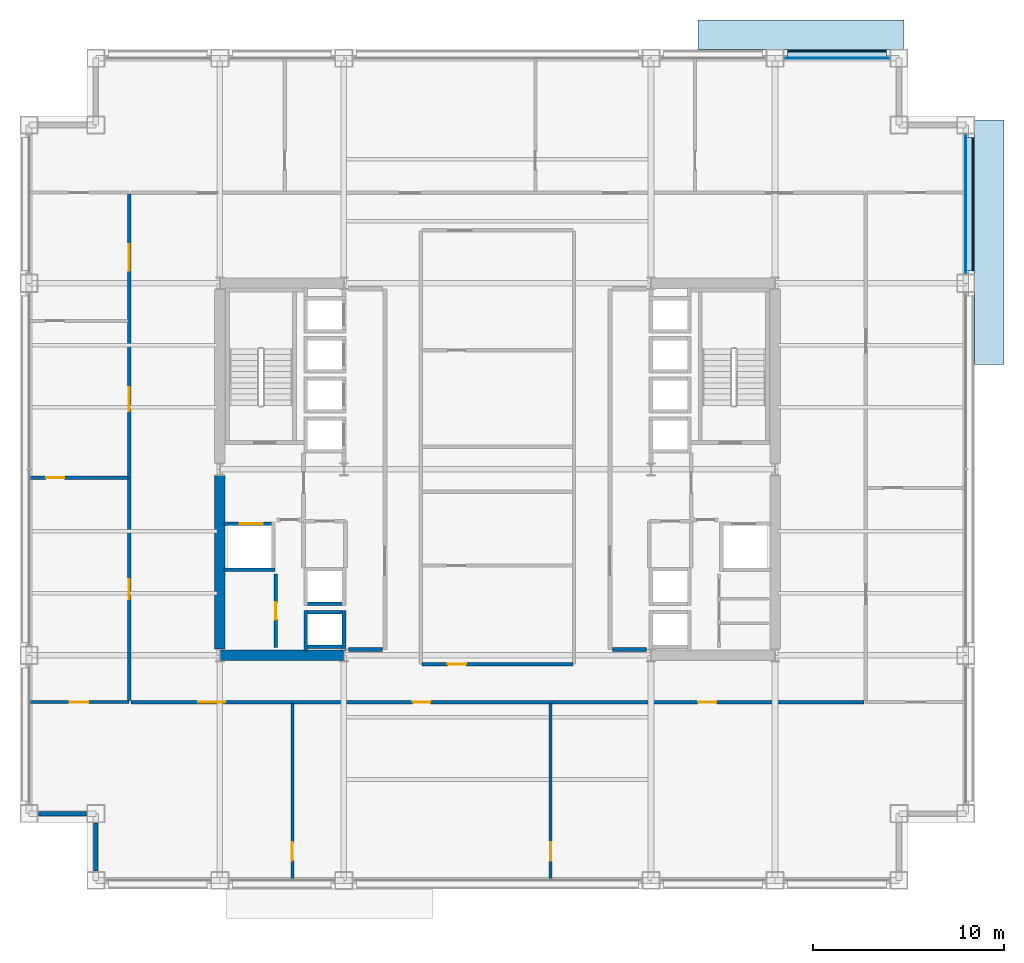
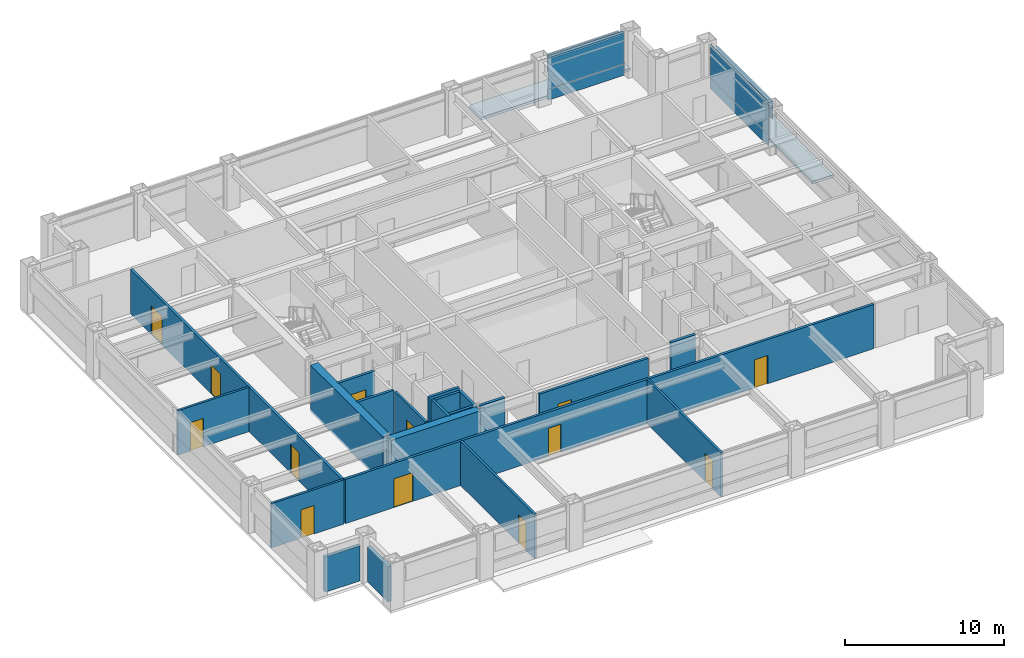
# One storey, part 24 of 28: 21 walls, 13 doors, 8 plates, 2 slabs, 13 openings, 2 elements without a shape of their own.
"""IFC4 building model written with IfcOpenShell, lengths in metres."""

from ifc_helpers import new_model, si_unit, direction, frame, frame_2d, origin, origin_2d, place, context, subcontext, project, spatial, polyline, rectangle, outline, extrude, material, layer, layer_set, type_object, element, fill, aggregate, save


model = new_model("IFC4")

# Units and contexts
model_context = context("Model", 3, precision=1e-05, world=origin(), true_north=direction((0.0, 1.0)))
body_context = subcontext(model_context, "Body", "Model", "MODEL_VIEW")
ifc_project = project(units=[si_unit("LENGTHUNIT", "METRE"), si_unit("AREAUNIT", "SQUARE_METRE"), si_unit("VOLUMEUNIT", "CUBIC_METRE"), si_unit("PLANEANGLEUNIT", "RADIAN"), si_unit("MASSUNIT", "GRAM", prefix="KILO")], contexts=[model_context])

# Site, building, storey
site_placement = place(None, origin())
site = spatial("IfcSite", under=ifc_project, at=site_placement, CompositionType="ELEMENT")
building_placement = place(site_placement, origin())
building = spatial("IfcBuilding", under=site, at=building_placement, Name="Brelmoor Portico Tower", CompositionType="ELEMENT")
storey_placement = place(building_placement, frame((0.0, 0.0, 49.199951171875)))
storey = spatial("IfcBuildingStorey", under=building, at=storey_placement, Name="L12", CompositionType="ELEMENT", Elevation=49.199951171875)

# Curtain wall, plate
ifc_material_1 = material(Name="Anodised Aluminium Alloy 6063-T6", Category="aluminium")
ifc_layer_1 = layer(ifc_material_1, 0.179931640625)
ifc_layer_set_1 = layer_set([ifc_layer_1], Name="Anodised Aluminium Alloy 6063-T6")
curtain_wall_type = type_object("IfcCurtainWallType", Name="CW-TOWER-Z1", PredefinedType="NOTDEFINED", material=ifc_layer_set_1)
curtain_wall_1_placement = place(storey_placement, origin())
curtain_wall_1 = element("IfcCurtainWall", 1, at=curtain_wall_1_placement, inside=storey, type_object=curtain_wall_type, Name="L12 Curtain Wall CW-L12-02-5", PredefinedType="NOTDEFINED")
ifc_material_2 = material(Name="Double-Silver Low-E Insulated Glazing", Category="glass")
ifc_layer_2 = layer(ifc_material_2, 0.035888671875)
ifc_layer_set_2 = layer_set([ifc_layer_2], Name="Double-Silver Low-E Insulated Glazing")
plate_type_1 = type_object("IfcPlateType", Name="PT-CW-GLASS", PredefinedType="CURTAIN_PANEL", material=ifc_layer_set_2)
plate_1_placement = place(storey_placement, frame((17.800048828125, 21.550048828125, 0.85009765625), z_axis=(0.0, 0.0, 1.0), x_axis=(1.0, 0.0, 0.0)))
plate_1 = element("IfcPlate", 2, at=plate_1_placement, type_object=plate_type_1, Name="CW-L12-02-5 Vision Glass Panel 00", PredefinedType="CURTAIN_PANEL", context=body_context, shape_type="SweptSolid", body=[
    extrude(rectangle(XDim=5.5, YDim=0.035888671875, at=origin_2d()), origin(), (0.0, 0.0, 1.0), 2.550048828125),
])

curtain_wall_2_placement = place(storey_placement, origin())
curtain_wall_2 = element("IfcCurtainWall", 3, at=curtain_wall_2_placement, inside=storey, type_object=curtain_wall_type, Name="L12 Curtain Wall CW-L12-04-3", PredefinedType="NOTDEFINED")
plate_2_placement = place(storey_placement, frame((24.550048828125, 13.89990234375, 0.85009765625), z_axis=(0.0, 0.0, 1.0), x_axis=(0.0, 1.0, 0.0)))
plate_2 = element("IfcPlate", 4, at=plate_2_placement, type_object=plate_type_1, Name="CW-L12-04-3 Vision Glass Panel 00", PredefinedType="CURTAIN_PANEL", context=body_context, shape_type="SweptSolid", body=[
    extrude(rectangle(XDim=7.300048828125, YDim=0.035888671875, at=origin_2d()), origin(), (0.0, 0.0, 1.0), 2.550048828125),
])

# Plate
ifc_material_3 = material(Name="Pale Champagne Anodised Aluminium Panel", Category="aluminium")
ifc_layer_3 = layer(ifc_material_3, 0.050048828125)
ifc_layer_set_3 = layer_set([ifc_layer_3], Name="Pale Champagne Anodised Aluminium Panel")
plate_type_2 = type_object("IfcPlateType", Name="PT-CW-SPANDREL", PredefinedType="SHEET", material=ifc_layer_set_3)
plate_3_placement = place(storey_placement, frame((17.800048828125, 21.550048828125, 0.0), z_axis=(0.0, 0.0, 1.0), x_axis=(1.0, 0.0, 0.0)))
plate_3 = element("IfcPlate", 5, at=plate_3_placement, type_object=plate_type_2, Name="CW-L12-02-5 Spandrel Panel 00", PredefinedType="SHEET", context=body_context, shape_type="SweptSolid", body=[
    extrude(rectangle(XDim=5.5, YDim=0.050048828125, at=origin_2d()), origin(), (0.0, 0.0, 1.0), 0.85009765625),
])

aggregate(curtain_wall_1, [plate_3, plate_1])

plate_4_placement = place(storey_placement, frame((24.550048828125, 13.89990234375, 0.0), z_axis=(0.0, 0.0, 1.0), x_axis=(0.0, 1.0, 0.0)))
plate_4 = element("IfcPlate", 6, at=plate_4_placement, type_object=plate_type_2, Name="CW-L12-04-3 Spandrel Panel 00", PredefinedType="SHEET", context=body_context, shape_type="SweptSolid", body=[
    extrude(rectangle(XDim=7.300048828125, YDim=0.050048828125, at=origin_2d()), origin(), (0.0, 0.0, 1.0), 0.85009765625),
])

aggregate(curtain_wall_2, [plate_4, plate_2])

# Plates
ifc_material_4 = material(Name="Powder-Coated Aluminium Shuttered Jalousie Louvre", Category="aluminium")
ifc_layer_4 = layer(ifc_material_4, 0.06005859375)
ifc_layer_set_4 = layer_set([ifc_layer_4], Name="Powder-Coated Aluminium Shuttered Jalousie Louvre")
plate_type_3 = type_object("IfcPlateType", Name="PT-JALOUSIE-SHUTTER", PredefinedType="SHEET", material=ifc_layer_set_4)
plate_5_placement = place(storey_placement, frame((17.800048828125, 21.929931640625, 1.8740234375), z_axis=(0.0, 0.0, 1.0), x_axis=(1.0, 0.0, 0.0)))
element("IfcPlate", 7, at=plate_5_placement, inside=storey, type_object=plate_type_3, Name="CW-L12-02-5 Perforated Jalousie Solar Screen", PredefinedType="SHEET", context=body_context, shape_type="SweptSolid", body=[
    extrude(rectangle(XDim=5.169921875, YDim=0.06494140625, at=origin_2d()), origin(), (0.0, 0.0, 1.0), 1.325927734375),
])
plate_6_placement = place(storey_placement, frame((24.929931640625, 13.89990234375, 1.8740234375), z_axis=(0.0, 0.0, 1.0), x_axis=(0.0, 1.0, 0.0)))
element("IfcPlate", 8, at=plate_6_placement, inside=storey, type_object=plate_type_3, Name="CW-L12-04-3 Perforated Jalousie Solar Screen", PredefinedType="SHEET", context=body_context, shape_type="SweptSolid", body=[
    extrude(rectangle(XDim=6.969970703125, YDim=0.06494140625, at=origin_2d()), origin(), (0.0, 0.0, 1.0), 1.325927734375),
])
ifc_material_5 = material(Name="Pale Champagne Perforated Aluminium Solar Screen", Category="aluminium")
ifc_layer_5 = layer(ifc_material_5, 0.054931640625)
ifc_layer_set_5 = layer_set([ifc_layer_5], Name="Pale Champagne Perforated Aluminium Solar Screen")
plate_type_4 = type_object("IfcPlateType", Name="PT-SOLAR-LOUVRE", PredefinedType="SHEET", material=ifc_layer_set_5)
plate_7_placement = place(storey_placement, frame((17.800048828125, 21.760009765625, 3.09033203125), z_axis=(0.0, 0.0, 1.0), x_axis=(1.0, 0.0, 0.0)))
element("IfcPlate", 9, at=plate_7_placement, inside=storey, type_object=plate_type_4, Name="CW-L12-02-5 Caribbean Brise-Soleil Solar Screen", PredefinedType="SHEET", context=body_context, shape_type="SweptSolid", body=[
    extrude(rectangle(XDim=5.169921875, YDim=0.4599609375, at=origin_2d()), origin(), (0.0, 0.0, 1.0), 0.139892578125),
])
plate_8_placement = place(storey_placement, frame((24.760009765625, 13.89990234375, 3.09033203125), z_axis=(0.0, 0.0, 1.0), x_axis=(0.0, 1.0, 0.0)))
element("IfcPlate", 10, at=plate_8_placement, inside=storey, type_object=plate_type_4, Name="CW-L12-04-3 Caribbean Brise-Soleil Solar Screen", PredefinedType="SHEET", context=body_context, shape_type="SweptSolid", body=[
    extrude(rectangle(XDim=6.969970703125, YDim=0.4599609375, at=origin_2d()), origin(), (0.0, 0.0, 1.0), 0.139892578125),
])

# Slabs
ifc_material_6 = material(Name="Concrete C40", Category="concrete")
ifc_layer_6 = layer(ifc_material_6, 0.199951171875)
ifc_layer_set_6 = layer_set([ifc_layer_6], Name="Concrete C40")
slab_type = type_object("IfcSlabType", Name="SL-ROOF-200", PredefinedType="ROOF", material=ifc_layer_set_6)
slab_1_placement = place(storey_placement, frame((0.0, 0.0, -0.199951171875)))
element("IfcSlab", 11, at=slab_1_placement, inside=storey, type_object=slab_type, Name="L12 Picture-Frame Top Hood Slab N", PredefinedType="ROOF", context=body_context, shape_type="SweptSolid", body=[
    extrude(outline(polyline([(10.5, 22.0), (21.300048828125, 22.0), (21.300048828125, 23.550048828125), (10.5, 23.550048828125), (10.5, 22.0)])), origin(), (0.0, 0.0, 1.0), 0.199951171875),
])
slab_2_placement = place(storey_placement, frame((0.0, 0.0, -0.199951171875)))
element("IfcSlab", 12, at=slab_2_placement, inside=storey, type_object=slab_type, Name="L12 Picture-Frame Top Hood Slab E", PredefinedType="ROOF", context=body_context, shape_type="SweptSolid", body=[
    extrude(outline(polyline([(25.0, 5.5), (26.550048828125, 5.5), (26.550048828125, 18.300048828125), (25.0, 18.300048828125), (25.0, 5.5)])), origin(), (0.0, 0.0, 1.0), 0.199951171875),
])

# Walls
ifc_material_7 = material(Name="Concrete C60", Category="concrete")
ifc_layer_7 = layer(ifc_material_7, 0.550048828125)
ifc_layer_set_7 = layer_set([ifc_layer_7], Name="Concrete C60")
wall_type_1 = type_object("IfcWallType", Name="WL-CORE-550", PredefinedType="SHEAR", material=ifc_layer_set_7)
wall_1_placement = place(storey_placement, frame((-14.530029296875, -9.75, -0.199951171875), z_axis=(0.0, 0.0, 1.0), x_axis=(1.0, 0.0, 0.0)))
element("IfcWall", 13, at=wall_1_placement, inside=storey, type_object=wall_type_1, Name="L12 WC South Shear Wall", PredefinedType="SHEAR", context=body_context, shape_type="SweptSolid", body=[
    extrude(rectangle(XDim=6.4599609375, YDim=0.550048828125, at=frame_2d((3.22998046875, 0.0))), origin(), (0.0, 0.0, 1.0), 3.60009765625),
])
wall_2_placement = place(storey_placement, frame((-14.550048828125, -9.425048828125, -0.199951171875), z_axis=(0.0, 0.0, 1.0), x_axis=(0.0, 1.0, 0.0)))
element("IfcWall", 14, at=wall_2_placement, inside=storey, type_object=wall_type_1, Name="L12 WC Outer South Shear Wall", PredefinedType="SHEAR", context=body_context, shape_type="SweptSolid", body=[
    extrude(rectangle(XDim=9.10009765625, YDim=0.550048828125, at=frame_2d((4.550048828125, 0.0))), origin(), (0.0, 0.0, 1.0), 3.60009765625),
])
ifc_material_8 = material(Name="Precast Concrete C40 Insulated Facade Wall", Category="concrete")
ifc_layer_8 = layer(ifc_material_8, 0.25)
ifc_layer_set_8 = layer_set([ifc_layer_8], Name="Precast Concrete C40 Insulated Facade Wall")
wall_type_2 = type_object("IfcWallType", Name="WL-EXT-250", PredefinedType="STANDARD", material=ifc_layer_set_8)
for number, where, z_axis, x_axis, name in (
    (15, (-24.06494140625, -18.050048828125, 0.0), (0.0, 0.0, 1.0), (1.0, 0.0, 0.0), "L12 Corner Notch Facade Wall NSWH1"),
    (16, (-21.050048828125, -21.06494140625, 0.0), (0.0, 0.0, 1.0), (0.0, 1.0, 0.0), "L12 Corner Notch Facade Wall NSWV1"),
):
    element("IfcWall", number, at=place(storey_placement, frame(where, z_axis=z_axis, x_axis=x_axis)), inside=storey, type_object=wall_type_2, Name=name, PredefinedType="STANDARD", context=body_context, shape_type="SweptSolid", body=[
        extrude(rectangle(XDim=2.530029296875, YDim=0.25, at=frame_2d((1.26513671875, 0.0))), origin(), (0.0, 0.0, 1.0), 2.699951171875),
    ])

# Wall, opening, door
ifc_material_9 = material(Name="Twin-Frame Acoustic Partition", Category="gypsum")
ifc_layer_9 = layer(ifc_material_9, 0.159912109375)
ifc_layer_set_9 = layer_set([ifc_layer_9], Name="Twin-Frame Acoustic Partition")
wall_type_3 = type_object("IfcWallType", Name="WL-PART-160", PredefinedType="PARTITIONING", material=ifc_layer_set_9)
wall_3_placement = place(storey_placement, frame((-11.6201171875, -9.35009765625, 0.0), z_axis=(0.0, 0.0, 1.0), x_axis=(0.0, 1.0, 0.0)))
wall_3 = element("IfcWall", 17, at=wall_3_placement, inside=storey, type_object=wall_type_3, Name="L12 W Core Service Front Wall", PredefinedType="PARTITIONING", context=body_context, shape_type="SweptSolid", body=[
    extrude(rectangle(XDim=3.85009765625, YDim=0.159912109375, at=frame_2d((1.925048828125, 0.0))), origin(), (0.0, 0.0, 1.0), 3.400146484375),
])
opening_1_placement = place(wall_3_placement, frame((1.47509765625, 0.0, 0.0)))
opening_1 = element("IfcOpeningElement", 18, at=opening_1_placement, cuts=wall_3, Name="Opening D-IN1", PredefinedType="OPENING", context=body_context, shape_type="SweptSolid", body=[
    extrude(rectangle(XDim=0.89990234375, YDim=2.14990234375, at=frame_2d((0.449951171875, 1.074951171875))), frame((0.0, 0.08984375, 0.0), z_axis=(0.0, -1.0, 0.0), x_axis=(1.0, 0.0, 0.0)), (0.0, 0.0, 1.0), 0.179931640625),
])
ifc_material_10 = material(Name="Lacquered Timber Suite Door", Category="wood")
door_type_1 = type_object("IfcDoorType", Name="DR-INT-900", OperationType="NOTDEFINED", PredefinedType="DOOR", material=ifc_material_10)
door_1_placement = place(opening_1_placement, origin())
door_1 = element("IfcDoor", 19, at=door_1_placement, inside=storey, type_object=door_type_1, Name="D-0536 L12 W Accessible WC Door", OperationType="SINGLE_SWING_RIGHT", OverallHeight=2.14990234375, OverallWidth=0.89990234375, PredefinedType="DOOR", context=body_context, shape_type="SweptSolid", body=[
    extrude(rectangle(XDim=0.89990234375, YDim=2.14990234375, at=frame_2d((0.449951171875, 1.074951171875))), frame((0.0, 0.02490234375, 0.0), z_axis=(0.0, -1.0, 0.0), x_axis=(1.0, 0.0, 0.0)), (0.0, 0.0, 1.0), 0.050048828125),
])
fill(opening_1, door_1)

wall_4_placement = place(storey_placement, frame((-10.75146484375, -21.56005859375, 0.0), z_axis=(0.0, 0.0, 1.0), x_axis=(0.0, 1.0, 0.0)))
wall_4 = element("IfcWall", 20, at=wall_4_placement, inside=storey, type_object=wall_type_3, Name="L12 South Suite Partition 1", PredefinedType="PARTITIONING", context=body_context, shape_type="SweptSolid", body=[
    extrude(rectangle(XDim=9.300048828125, YDim=0.159912109375, at=frame_2d((4.64990234375, 0.0))), origin(), (0.0, 0.0, 1.0), 3.400146484375),
])
opening_2_placement = place(wall_4_placement, frame((1.050048828125, 0.0, 0.0)))
opening_2 = element("IfcOpeningElement", 21, at=opening_2_placement, cuts=wall_4, Name="Opening D-IN2", PredefinedType="OPENING", context=body_context, shape_type="SweptSolid", body=[
    extrude(rectangle(XDim=0.9599609375, YDim=2.179931640625, at=frame_2d((0.47998046875, 1.08984375))), frame((0.0, 0.08984375, 0.0), z_axis=(0.0, -1.0, 0.0), x_axis=(1.0, 0.0, 0.0)), (0.0, 0.0, 1.0), 0.179931640625),
])
door_type_2 = type_object("IfcDoorType", Name="DR-INT-950", OperationType="NOTDEFINED", PredefinedType="DOOR", material=ifc_material_10)
door_2_placement = place(opening_2_placement, origin())
door_2 = element("IfcDoor", 22, at=door_2_placement, inside=storey, type_object=door_type_2, Name="D-0555 L12 South Suite Connecting Door 1", OperationType="SINGLE_SWING_LEFT", OverallHeight=2.179931640625, OverallWidth=0.9599609375, PredefinedType="DOOR", context=body_context, shape_type="SweptSolid", body=[
    extrude(rectangle(XDim=0.9599609375, YDim=2.179931640625, at=frame_2d((0.47998046875, 1.08984375))), frame((0.0, 0.02490234375, 0.0), z_axis=(0.0, -1.0, 0.0), x_axis=(1.0, 0.0, 0.0)), (0.0, 0.0, 1.0), 0.050048828125),
])
fill(opening_2, door_2)

wall_5_placement = place(storey_placement, frame((2.787353515625, -21.56005859375, 0.0), z_axis=(0.0, 0.0, 1.0), x_axis=(0.0, 1.0, 0.0)))
wall_5 = element("IfcWall", 23, at=wall_5_placement, inside=storey, type_object=wall_type_3, Name="L12 South Suite Partition 2", PredefinedType="PARTITIONING", context=body_context, shape_type="SweptSolid", body=[
    extrude(rectangle(XDim=9.300048828125, YDim=0.159912109375, at=frame_2d((4.64990234375, 0.0))), origin(), (0.0, 0.0, 1.0), 3.400146484375),
])
opening_3_placement = place(wall_5_placement, frame((1.050048828125, 0.0, 0.0)))
opening_3 = element("IfcOpeningElement", 24, at=opening_3_placement, cuts=wall_5, Name="Opening D-IN2", PredefinedType="OPENING", context=body_context, shape_type="SweptSolid", body=[
    extrude(rectangle(XDim=0.9599609375, YDim=2.179931640625, at=frame_2d((0.47998046875, 1.08984375))), frame((0.0, 0.08984375, 0.0), z_axis=(0.0, -1.0, 0.0), x_axis=(1.0, 0.0, 0.0)), (0.0, 0.0, 1.0), 0.179931640625),
])
door_3_placement = place(opening_3_placement, origin())
door_3 = element("IfcDoor", 25, at=door_3_placement, inside=storey, type_object=door_type_2, Name="D-0556 L12 South Suite Connecting Door 2", OperationType="SINGLE_SWING_RIGHT", OverallHeight=2.179931640625, OverallWidth=0.9599609375, PredefinedType="DOOR", context=body_context, shape_type="SweptSolid", body=[
    extrude(rectangle(XDim=0.9599609375, YDim=2.179931640625, at=frame_2d((0.47998046875, 1.08984375))), frame((0.0, 0.02490234375, 0.0), z_axis=(0.0, -1.0, 0.0), x_axis=(1.0, 0.0, 0.0)), (0.0, 0.0, 1.0), 0.050048828125),
])
fill(opening_3, door_3)

wall_6_placement = place(storey_placement, frame((-24.56005859375, -12.199951171875, 0.0), z_axis=(0.0, 0.0, 1.0), x_axis=(1.0, 0.0, 0.0)))
wall_6 = element("IfcWall", 26, at=wall_6_placement, inside=storey, type_object=wall_type_3, Name="L12 South Outer Closure WL", PredefinedType="PARTITIONING", context=body_context, shape_type="SweptSolid", body=[
    extrude(rectangle(XDim=5.260009765625, YDim=0.159912109375, at=frame_2d((2.6298828125, 0.0))), origin(), (0.0, 0.0, 1.0), 3.400146484375),
])
opening_4_placement = place(wall_6_placement, frame((2.14990234375, 0.0, 0.0)))
opening_4 = element("IfcOpeningElement", 27, at=opening_4_placement, cuts=wall_6, Name="Opening D-IN2", PredefinedType="OPENING", context=body_context, shape_type="SweptSolid", body=[
    extrude(rectangle(XDim=0.9599609375, YDim=2.179931640625, at=frame_2d((0.47998046875, 1.08984375))), frame((0.0, 0.08984375, 0.0), z_axis=(0.0, -1.0, 0.0), x_axis=(1.0, 0.0, 0.0)), (0.0, 0.0, 1.0), 0.179931640625),
])
door_4_placement = place(opening_4_placement, origin())
door_4 = element("IfcDoor", 28, at=door_4_placement, inside=storey, type_object=door_type_2, Name="D-0560 L12 WL South Corner Suite Door", OperationType="SINGLE_SWING_LEFT", OverallHeight=2.179931640625, OverallWidth=0.9599609375, PredefinedType="DOOR", context=body_context, shape_type="SweptSolid", body=[
    extrude(rectangle(XDim=0.9599609375, YDim=2.179931640625, at=frame_2d((0.47998046875, 1.08984375))), frame((0.0, 0.02490234375, 0.0), z_axis=(0.0, -1.0, 0.0), x_axis=(1.0, 0.0, 0.0)), (0.0, 0.0, 1.0), 0.050048828125),
])
fill(opening_4, door_4)

wall_7_placement = place(storey_placement, frame((-24.56005859375, -0.4423828125, 0.0), z_axis=(0.0, 0.0, 1.0), x_axis=(1.0, 0.0, 0.0)))
wall_7 = element("IfcWall", 29, at=wall_7_placement, inside=storey, type_object=wall_type_3, Name="L12 W Wing Partition 1", PredefinedType="PARTITIONING", context=body_context, shape_type="SweptSolid", body=[
    extrude(rectangle(XDim=5.199951171875, YDim=0.159912109375, at=frame_2d((2.60009765625, 0.0))), origin(), (0.0, 0.0, 1.0), 3.400146484375),
])
opening_5_placement = place(wall_7_placement, frame((0.89990234375, 0.0, 0.0)))
opening_5 = element("IfcOpeningElement", 30, at=opening_5_placement, cuts=wall_7, Name="Opening D-IN2", PredefinedType="OPENING", context=body_context, shape_type="SweptSolid", body=[
    extrude(rectangle(XDim=0.9599609375, YDim=2.179931640625, at=frame_2d((0.47998046875, 1.08984375))), frame((0.0, 0.08984375, 0.0), z_axis=(0.0, -1.0, 0.0), x_axis=(1.0, 0.0, 0.0)), (0.0, 0.0, 1.0), 0.179931640625),
])
door_5_placement = place(opening_5_placement, origin())
door_5 = element("IfcDoor", 31, at=door_5_placement, inside=storey, type_object=door_type_2, Name="D-0567 L12 W Wing Suite Connecting Door 1", OperationType="SINGLE_SWING_LEFT", OverallHeight=2.179931640625, OverallWidth=0.9599609375, PredefinedType="DOOR", context=body_context, shape_type="SweptSolid", body=[
    extrude(rectangle(XDim=0.9599609375, YDim=2.179931640625, at=frame_2d((0.47998046875, 1.08984375))), frame((0.0, 0.02490234375, 0.0), z_axis=(0.0, -1.0, 0.0), x_axis=(1.0, 0.0, 0.0)), (0.0, 0.0, 1.0), 0.050048828125),
])
fill(opening_5, door_5)

ifc_material_11 = material(Name="Acoustic Corridor Fire Partition", Category="gypsum")
ifc_layer_10 = layer(ifc_material_11, 0.179931640625)
ifc_layer_set_10 = layer_set([ifc_layer_10], Name="Acoustic Corridor Fire Partition")
wall_type_4 = type_object("IfcWallType", Name="WL-PART-180", PredefinedType="PARTITIONING", material=ifc_layer_set_10)
wall_8_placement = place(storey_placement, frame((-3.949951171875, -10.219970703125, 0.0), z_axis=(0.0, 0.0, 1.0), x_axis=(1.0, 0.0, 0.0)))
wall_8 = element("IfcWall", 32, at=wall_8_placement, inside=storey, type_object=wall_type_4, Name="L12 Central Pantry Corridor Wall", PredefinedType="PARTITIONING", context=body_context, shape_type="SweptSolid", body=[
    extrude(rectangle(XDim=7.89990234375, YDim=0.179931640625, at=frame_2d((3.949951171875, 0.0))), origin(), (0.0, 0.0, 1.0), 3.400146484375),
])
opening_6_placement = place(wall_8_placement, frame((1.35009765625, 0.0, 0.0)))
opening_6 = element("IfcOpeningElement", 33, at=opening_6_placement, cuts=wall_8, Name="Opening D-IN2", PredefinedType="OPENING", context=body_context, shape_type="SweptSolid", body=[
    extrude(rectangle(XDim=0.9599609375, YDim=2.179931640625, at=frame_2d((0.47998046875, 1.08984375))), frame((0.0, 0.099853515625, 0.0), z_axis=(0.0, -1.0, 0.0), x_axis=(1.0, 0.0, 0.0)), (0.0, 0.0, 1.0), 0.199951171875),
])
door_6_placement = place(opening_6_placement, origin())
door_6 = element("IfcDoor", 34, at=door_6_placement, inside=storey, type_object=door_type_2, Name="D-0529 L12 Staff Pantry Door", OperationType="SINGLE_SWING_RIGHT", OverallHeight=2.179931640625, OverallWidth=0.9599609375, PredefinedType="DOOR", context=body_context, shape_type="SweptSolid", body=[
    extrude(rectangle(XDim=0.9599609375, YDim=2.179931640625, at=frame_2d((0.47998046875, 1.08984375))), frame((0.0, 0.02490234375, 0.0), z_axis=(0.0, -1.0, 0.0), x_axis=(1.0, 0.0, 0.0)), (0.0, 0.0, 1.0), 0.050048828125),
])
fill(opening_6, door_6)

# Wall, openings, doors
wall_9_placement = place(storey_placement, frame((-19.199951171875, -12.199951171875, 0.0), z_axis=(0.0, 0.0, 1.0), x_axis=(1.0, 0.0, 0.0)))
wall_9 = element("IfcWall", 35, at=wall_9_placement, inside=storey, type_object=wall_type_4, Name="L12 South Corridor Partition", PredefinedType="PARTITIONING", context=body_context, shape_type="SweptSolid", body=[
    extrude(rectangle(XDim=38.39990234375, YDim=0.179931640625, at=frame_2d((19.199951171875, 0.0))), origin(), (0.0, 0.0, 1.0), 3.400146484375),
])
opening_7_placement = place(wall_9_placement, frame((3.5244140625, 0.0, 0.0)))
opening_7 = element("IfcOpeningElement", 36, at=opening_7_placement, cuts=wall_9, Name="Opening D-SU2", PredefinedType="OPENING", context=body_context, shape_type="SweptSolid", body=[
    extrude(rectangle(XDim=1.39990234375, YDim=2.199951171875, at=frame_2d((0.699951171875, 1.10009765625))), frame((0.0, 0.099853515625, 0.0), z_axis=(0.0, -1.0, 0.0), x_axis=(1.0, 0.0, 0.0)), (0.0, 0.0, 1.0), 0.199951171875),
])
opening_8_placement = place(wall_9_placement, frame((14.76806640625, 0.0, 0.0)))
opening_8 = element("IfcOpeningElement", 37, at=opening_8_placement, cuts=wall_9, Name="Opening D-IN1", PredefinedType="OPENING", context=body_context, shape_type="SweptSolid", body=[
    extrude(rectangle(XDim=0.89990234375, YDim=2.14990234375, at=frame_2d((0.449951171875, 1.074951171875))), frame((0.0, 0.099853515625, 0.0), z_axis=(0.0, -1.0, 0.0), x_axis=(1.0, 0.0, 0.0)), (0.0, 0.0, 1.0), 0.199951171875),
])
opening_9_placement = place(wall_9_placement, frame((29.713623046875, 0.0, 0.0)))
opening_9 = element("IfcOpeningElement", 38, at=opening_9_placement, cuts=wall_9, Name="Opening D-IN2", PredefinedType="OPENING", context=body_context, shape_type="SweptSolid", body=[
    extrude(rectangle(XDim=0.9599609375, YDim=2.179931640625, at=frame_2d((0.47998046875, 1.08984375))), frame((0.0, 0.099853515625, 0.0), z_axis=(0.0, -1.0, 0.0), x_axis=(1.0, 0.0, 0.0)), (0.0, 0.0, 1.0), 0.199951171875),
])
door_7_placement = place(opening_8_placement, origin())
door_7 = element("IfcDoor", 39, at=door_7_placement, inside=storey, type_object=door_type_1, Name="D-0553 L12 South Partner Office 2 Door", OperationType="SINGLE_SWING_LEFT", OverallHeight=2.14990234375, OverallWidth=0.89990234375, PredefinedType="DOOR", context=body_context, shape_type="SweptSolid", body=[
    extrude(rectangle(XDim=0.89990234375, YDim=2.14990234375, at=frame_2d((0.449951171875, 1.074951171875))), frame((0.0, 0.02490234375, 0.0), z_axis=(0.0, -1.0, 0.0), x_axis=(1.0, 0.0, 0.0)), (0.0, 0.0, 1.0), 0.050048828125),
])
fill(opening_8, door_7)
door_8_placement = place(opening_9_placement, origin())
door_8 = element("IfcDoor", 40, at=door_8_placement, inside=storey, type_object=door_type_2, Name="D-0554 L12 South Open-Plan Office 3 Door", OperationType="SINGLE_SWING_RIGHT", OverallHeight=2.179931640625, OverallWidth=0.9599609375, PredefinedType="DOOR", context=body_context, shape_type="SweptSolid", body=[
    extrude(rectangle(XDim=0.9599609375, YDim=2.179931640625, at=frame_2d((0.47998046875, 1.08984375))), frame((0.0, 0.02490234375, 0.0), z_axis=(0.0, -1.0, 0.0), x_axis=(1.0, 0.0, 0.0)), (0.0, 0.0, 1.0), 0.050048828125),
])
fill(opening_9, door_8)
ifc_material_12 = material(Name="Double-Leaf Acoustic Suite Door", Category="timber")
door_type_3 = type_object("IfcDoorType", Name="DR-SUITE-1400", OperationType="NOTDEFINED", PredefinedType="DOOR", material=ifc_material_12)
door_9_placement = place(opening_7_placement, origin())
door_9 = element("IfcDoor", 41, at=door_9_placement, inside=storey, type_object=door_type_3, Name="D-0552 L12 South Executive Study 1 Door", OperationType="DOUBLE_DOOR_SINGLE_SWING", OverallHeight=2.199951171875, OverallWidth=1.39990234375, PredefinedType="DOOR", context=body_context, shape_type="SweptSolid", body=[
    extrude(rectangle(XDim=1.39990234375, YDim=2.199951171875, at=frame_2d((0.699951171875, 1.10009765625))), frame((0.0, 0.02490234375, 0.0), z_axis=(0.0, -1.0, 0.0), x_axis=(1.0, 0.0, 0.0)), (0.0, 0.0, 1.0), 0.050048828125),
])
fill(opening_7, door_9)

wall_10_placement = place(storey_placement, frame((-19.300048828125, -12.1201171875, 0.0), z_axis=(0.0, 0.0, 1.0), x_axis=(0.0, 1.0, 0.0)))
wall_10 = element("IfcWall", 42, at=wall_10_placement, inside=storey, type_object=wall_type_4, Name="L12 W Wing Corridor Wall", PredefinedType="PARTITIONING", context=body_context, shape_type="SweptSolid", body=[
    extrude(rectangle(XDim=26.5400390625, YDim=0.179931640625, at=frame_2d((13.27001953125, 0.0))), origin(), (0.0, 0.0, 1.0), 3.400146484375),
])
opening_10_placement = place(wall_10_placement, frame((5.308837890625, 0.0, 0.0)))
opening_10 = element("IfcOpeningElement", 43, at=opening_10_placement, cuts=wall_10, Name="Opening D-OF2", PredefinedType="OPENING", context=body_context, shape_type="SweptSolid", body=[
    extrude(rectangle(XDim=1.06005859375, YDim=2.199951171875, at=frame_2d((0.530029296875, 1.10009765625))), frame((0.0, 0.099853515625, 0.0), z_axis=(0.0, -1.0, 0.0), x_axis=(1.0, 0.0, 0.0)), (0.0, 0.0, 1.0), 0.199951171875),
])
opening_11_placement = place(wall_10_placement, frame((15.17138671875, 0.0, 0.0)))
opening_11 = element("IfcOpeningElement", 44, at=opening_11_placement, cuts=wall_10, Name="Opening D-SU1", PredefinedType="OPENING", context=body_context, shape_type="SweptSolid", body=[
    extrude(rectangle(XDim=1.239990234375, YDim=2.239990234375, at=frame_2d((0.6201171875, 1.1201171875))), frame((0.0, 0.099853515625, 0.0), z_axis=(0.0, -1.0, 0.0), x_axis=(1.0, 0.0, 0.0)), (0.0, 0.0, 1.0), 0.199951171875),
])
opening_12_placement = place(wall_10_placement, frame((22.5224609375, 0.0, 0.0)))
opening_12 = element("IfcOpeningElement", 45, at=opening_12_placement, cuts=wall_10, Name="Opening D-SU2", PredefinedType="OPENING", context=body_context, shape_type="SweptSolid", body=[
    extrude(rectangle(XDim=1.39990234375, YDim=2.199951171875, at=frame_2d((0.699951171875, 1.10009765625))), frame((0.0, 0.099853515625, 0.0), z_axis=(0.0, -1.0, 0.0), x_axis=(1.0, 0.0, 0.0)), (0.0, 0.0, 1.0), 0.199951171875),
])
ifc_material_13 = material(Name="Hardwood Acoustic Veneer Door", Category="wood")
door_type_4 = type_object("IfcDoorType", Name="DR-OFFICE-1050", OperationType="NOTDEFINED", PredefinedType="DOOR", material=ifc_material_13)
door_10_placement = place(opening_10_placement, origin())
door_10 = element("IfcDoor", 46, at=door_10_placement, inside=storey, type_object=door_type_4, Name="D-0564 L12 W Cellular Office 1 Door", OperationType="SINGLE_SWING_LEFT", OverallHeight=2.199951171875, OverallWidth=1.06005859375, PredefinedType="DOOR", context=body_context, shape_type="SweptSolid", body=[
    extrude(rectangle(XDim=1.06005859375, YDim=2.199951171875, at=frame_2d((0.530029296875, 1.10009765625))), frame((0.0, 0.02490234375, 0.0), z_axis=(0.0, -1.0, 0.0), x_axis=(1.0, 0.0, 0.0)), (0.0, 0.0, 1.0), 0.050048828125),
])
fill(opening_10, door_10)
ifc_material_14 = material(Name="Glazed Timber Executive Suite Door", Category="wood")
door_type_5 = type_object("IfcDoorType", Name="DR-SUITE-1200", OperationType="NOTDEFINED", PredefinedType="DOOR", material=ifc_material_14)
door_11_placement = place(opening_11_placement, origin())
door_11 = element("IfcDoor", 47, at=door_11_placement, inside=storey, type_object=door_type_5, Name="D-0565 L12 W Technical Storage Room 2 Door", OperationType="SINGLE_SWING_RIGHT", OverallHeight=2.239990234375, OverallWidth=1.239990234375, PredefinedType="DOOR", context=body_context, shape_type="SweptSolid", body=[
    extrude(rectangle(XDim=1.239990234375, YDim=2.239990234375, at=frame_2d((0.6201171875, 1.1201171875))), frame((0.0, 0.02490234375, 0.0), z_axis=(0.0, -1.0, 0.0), x_axis=(1.0, 0.0, 0.0)), (0.0, 0.0, 1.0), 0.050048828125),
])
fill(opening_11, door_11)
door_12_placement = place(opening_12_placement, origin())
door_12 = element("IfcDoor", 48, at=door_12_placement, inside=storey, type_object=door_type_3, Name="D-0566 L12 W Project Mail and Print Room 3 Door", OperationType="DOUBLE_DOOR_SINGLE_SWING", OverallHeight=2.199951171875, OverallWidth=1.39990234375, PredefinedType="DOOR", context=body_context, shape_type="SweptSolid", body=[
    extrude(rectangle(XDim=1.39990234375, YDim=2.199951171875, at=frame_2d((0.699951171875, 1.10009765625))), frame((0.0, 0.02490234375, 0.0), z_axis=(0.0, -1.0, 0.0), x_axis=(1.0, 0.0, 0.0)), (0.0, 0.0, 1.0), 0.050048828125),
])
fill(opening_12, door_12)

# Walls
ifc_material_15 = material(Name="Double-Stud Gypsum Fire Partition", Category="gypsum")
ifc_layer_11 = layer(ifc_material_15, 0.199951171875)
ifc_layer_set_11 = layer_set([ifc_layer_11], Name="Double-Stud Gypsum Fire Partition")
wall_type_5 = type_object("IfcWallType", Name="WL-PART-200", PredefinedType="PARTITIONING", material=ifc_layer_set_11)
for number, where, z_axis, x_axis, name in (
    (49, (-6.02001953125, -9.449951171875, 0.0), (0.0, 0.0, 1.0), (-1.0, 0.0, 0.0), "L12 W Lift Lobby South End Wall"),
    (50, (6.02001953125, -9.449951171875, 0.0), (0.0, 0.0, 1.0), (1.0, 0.0, 0.0), "L12 E Lift Lobby South End Wall"),
):
    element("IfcWall", number, at=place(storey_placement, frame(where, z_axis=z_axis, x_axis=x_axis)), inside=storey, type_object=wall_type_5, Name=name, PredefinedType="PARTITIONING", context=body_context, shape_type="SweptSolid", body=[
        extrude(rectangle(XDim=1.800048828125, YDim=0.199951171875, at=frame_2d((0.89990234375, 0.0))), origin(), (0.0, 0.0, 1.0), 3.400146484375),
    ])
ifc_material_16 = material(Name="Precast Concrete C40", Category="concrete")
ifc_layer_12 = layer(ifc_material_16, 0.18994140625)
ifc_layer_set_12 = layer_set([ifc_layer_12], Name="Precast Concrete C40")
wall_type_6 = type_object("IfcWallType", Name="WL-SHAFT-180", PredefinedType="SOLIDWALL", material=ifc_layer_set_12)
for number, where, z_axis, x_axis, name in (
    (51, (-8.044921875, -9.52001953125, -0.199951171875), (0.0, 0.0, 1.0), (0.0, 1.0, 0.0), "L12 Lift PH1 Hoistway Front Wall"),
    (52, (-10.054931640625, -9.52001953125, -0.199951171875), (0.0, 0.0, 1.0), (0.0, 1.0, 0.0), "L12 Lift PH1 Hoistway Back Wall"),
):
    element("IfcWall", number, at=place(storey_placement, frame(where, z_axis=z_axis, x_axis=x_axis)), inside=storey, type_object=wall_type_6, Name=name, PredefinedType="SOLIDWALL", context=body_context, shape_type="SweptSolid", body=[
        extrude(rectangle(XDim=2.1201171875, YDim=0.18994140625, at=frame_2d((1.06005859375, 0.0))), origin(), (0.0, 0.0, 1.0), 3.60009765625),
    ])
for number, where, z_axis, x_axis, name in (
    (53, (-10.14990234375, -7.4951171875, -0.199951171875), (0.0, 0.0, 1.0), (1.0, 0.0, 0.0), "L12 Lift PH1 Hoistway North Wall"),
    (54, (-10.14990234375, -9.304931640625, -0.199951171875), (0.0, 0.0, 1.0), (1.0, 0.0, 0.0), "L12 Lift PH1 Hoistway South Wall"),
    (55, (-10.14990234375, -7.054931640625, -0.199951171875), (0.0, 0.0, 1.0), (1.0, 0.0, 0.0), "L12 Lift PH2 Hoistway South Wall"),
):
    element("IfcWall", number, at=place(storey_placement, frame(where, z_axis=z_axis, x_axis=x_axis)), inside=storey, type_object=wall_type_6, Name=name, PredefinedType="SOLIDWALL", context=body_context, shape_type="SweptSolid", body=[
        extrude(rectangle(XDim=2.199951171875, YDim=0.18994140625, at=frame_2d((1.10009765625, 0.0))), origin(), (0.0, 0.0, 1.0), 3.60009765625),
    ])

# Wall, opening, door
wall_11_placement = place(storey_placement, frame((-14.330078125, -2.844970703125, -0.199951171875), z_axis=(0.0, 0.0, 1.0), x_axis=(1.0, 0.0, 0.0)))
wall_11 = element("IfcWall", 56, at=wall_11_placement, inside=storey, type_object=wall_type_6, Name="L12 Lift FF1 Hoistway Front Wall", PredefinedType="SOLIDWALL", context=body_context, shape_type="SweptSolid", body=[
    extrude(rectangle(XDim=2.68017578125, YDim=0.18994140625, at=frame_2d((1.340087890625, 0.0))), origin(), (0.0, 0.0, 1.0), 3.60009765625),
])
opening_13_placement = place(wall_11_placement, frame((0.830078125, 0.0, 0.199951171875)))
opening_13 = element("IfcOpeningElement", 57, at=opening_13_placement, cuts=wall_11, Name="Opening LD-02", PredefinedType="OPENING", context=body_context, shape_type="SweptSolid", body=[
    extrude(rectangle(XDim=1.199951171875, YDim=2.199951171875, at=frame_2d((0.60009765625, 1.10009765625))), frame((0.0, 0.10498046875, 0.0), z_axis=(0.0, -1.0, 0.0), x_axis=(1.0, 0.0, 0.0)), (0.0, 0.0, 1.0), 0.2099609375),
])
ifc_material_17 = material(Name="Brushed Stainless Steel Firefighting Lift Door", Category="steel")
door_type_6 = type_object("IfcDoorType", Name="DR-LIFT-1200", OperationType="NOTDEFINED", PredefinedType="DOOR", material=ifc_material_17)
door_13_placement = place(opening_13_placement, origin())
door_13 = element("IfcDoor", 58, at=door_13_placement, inside=storey, type_object=door_type_6, Name="D-0569 L12 Lift FF1 Sliding Landing Door", OperationType="SLIDING_TO_LEFT", OverallHeight=2.199951171875, OverallWidth=1.199951171875, PredefinedType="DOOR", context=body_context, shape_type="SweptSolid", body=[
    extrude(rectangle(XDim=1.199951171875, YDim=2.199951171875, at=frame_2d((0.60009765625, 1.10009765625))), frame((0.0, 0.02490234375, 0.0), z_axis=(0.0, -1.0, 0.0), x_axis=(1.0, 0.0, 0.0)), (0.0, 0.0, 1.0), 0.050048828125),
])
fill(opening_13, door_13)

# Wall
wall_12_placement = place(storey_placement, frame((-14.330078125, -5.2548828125, -0.199951171875), z_axis=(0.0, 0.0, 1.0), x_axis=(1.0, 0.0, 0.0)))
element("IfcWall", 59, at=wall_12_placement, inside=storey, type_object=wall_type_6, Name="L12 Firefighting Lift FF1 South Wall", PredefinedType="SOLIDWALL", context=body_context, shape_type="SweptSolid", body=[
    extrude(rectangle(XDim=2.68017578125, YDim=0.18994140625, at=frame_2d((1.340087890625, 0.0))), origin(), (0.0, 0.0, 1.0), 3.60009765625),
])

save(model, "model.ifc")
